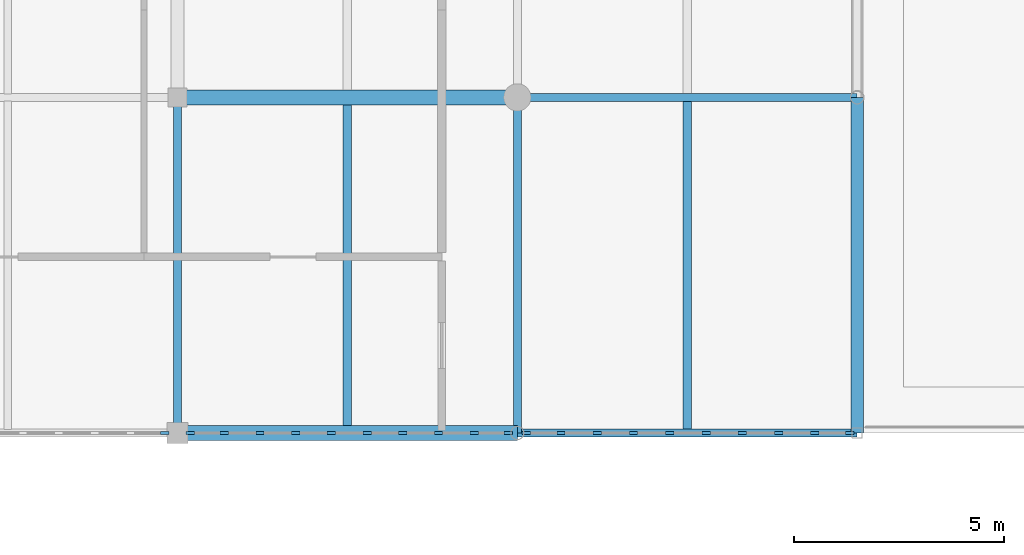
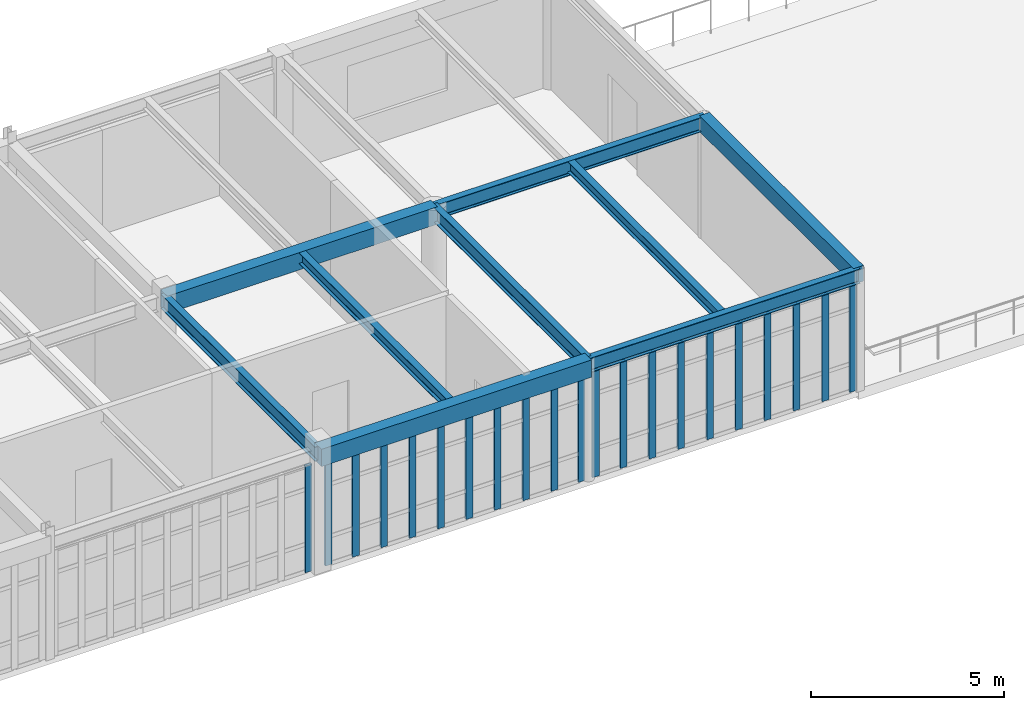
# One storey, part 13 of 36: 21 members, 9 beams, 3 elements without a shape of their own.
"""IFC4 building model written with IfcOpenShell, lengths in metres."""

from ifc_helpers import new_model, si_unit, direction, frame, origin, origin_2d, place, context, subcontext, project, spatial, rectangle, i_section, extrude, material, material_profile, profile_set, type_object, element, aggregate, save


model = new_model("IFC4")

# Units and contexts
model_context = context("Model", 3, precision=1e-05, world=origin(), true_north=direction((0.0, 1.0)))
body_context = subcontext(model_context, "Body", "Model", "MODEL_VIEW")
ifc_project = project(units=[si_unit("LENGTHUNIT", "METRE"), si_unit("AREAUNIT", "SQUARE_METRE"), si_unit("VOLUMEUNIT", "CUBIC_METRE"), si_unit("PLANEANGLEUNIT", "RADIAN"), si_unit("MASSUNIT", "GRAM", prefix="KILO")], contexts=[model_context])

# Site, building, storey
site_placement = place(None, origin())
site = spatial("IfcSite", under=ifc_project, at=site_placement, CompositionType="ELEMENT")
building_placement = place(site_placement, origin())
building = spatial("IfcBuilding", under=site, at=building_placement, Name="Tarnveldt Square Police Headquarters", CompositionType="ELEMENT")
storey_placement = place(building_placement, frame((0.0, 0.0, 24.89990234375)))
storey = spatial("IfcBuildingStorey", under=building, at=storey_placement, Name="L05", CompositionType="ELEMENT", Elevation=24.89990234375)

# Beams
ifc_material_1 = material(Name="Concrete 40 MPa", Category="concrete")
ifc_material_profile_1 = material_profile(ifc_material_1, rectangle(XDim=0.300048828125, YDim=0.5, at=origin_2d()), Name="RC-B300x500")
ifc_profile_set_1 = profile_set([ifc_material_profile_1], Name="Concrete 40 MPa")
beam_type_1 = type_object("IfcBeamType", Name="BM-RC300x500", PredefinedType="BEAM", material=ifc_profile_set_1)
beam_1_placement = place(storey_placement, frame((89.10009765625, 96.0, 3.610107421875), z_axis=(0.0, 1.0, 0.0), x_axis=(-1.0, 0.0, 0.0)))
element("IfcBeam", 1, at=beam_1_placement, inside=storey, type_object=beam_type_1, Name="L06 Grid Girder Y-1078", PredefinedType="BEAM", context=body_context, shape_type="SweptSolid", body=[
    extrude(rectangle(XDim=0.300048828125, YDim=0.5, at=origin_2d()), origin(), (0.0, 0.0, 1.0), 8.0),
])
ifc_material_profile_2 = material_profile(ifc_material_1, rectangle(XDim=0.35009765625, YDim=0.550048828125, at=origin_2d()), Name="RC-B350x550")
ifc_profile_set_2 = profile_set([ifc_material_profile_2], Name="Concrete 40 MPa")
beam_type_2 = type_object("IfcBeamType", Name="BM-RC350x550", PredefinedType="BEAM", material=ifc_profile_set_2)
for number, where, z_axis, x_axis, name in (
    (2, (72.89990234375, 96.0, 3.585205078125), (1.0, 0.0, 0.0), (0.0, 1.0, 0.0), "L06 Grid Girder X-1030"),
    (3, (72.89990234375, 104.0, 3.585205078125), (1.0, 0.0, 0.0), (0.0, 1.0, 0.0), "L06 Grid Girder X-1034"),
):
    element("IfcBeam", number, at=place(storey_placement, frame(where, z_axis=z_axis, x_axis=x_axis)), inside=storey, type_object=beam_type_2, Name=name, PredefinedType="BEAM", context=body_context, shape_type="SweptSolid", body=[
        extrude(rectangle(XDim=0.35009765625, YDim=0.550048828125, at=origin_2d()), origin(), (0.0, 0.0, 1.0), 8.10009765625),
    ])
ifc_material_2 = material(Name="Steel 350W", Category="steel")
ifc_material_profile_3 = material_profile(ifc_material_2, i_section(OverallWidth=0.202880859375, OverallDepth=0.346923828125, WebThickness=0.0078125, FlangeThickness=0.013427734375, FilletRadius=0.01611328125, at=origin_2d()), Name="W360x64")
ifc_profile_set_3 = profile_set([ifc_material_profile_3], Name="Steel 350W")
beam_type_3 = type_object("IfcBeamType", Name="BM-W360x64", PredefinedType="JOIST", material=ifc_profile_set_3)
beam_2_placement = place(storey_placement, frame((85.050048828125, 96.080078125, 3.6865234375), z_axis=(0.0, 1.0, 0.0), x_axis=(-1.0, 0.0, 0.0)))
element("IfcBeam", 4, at=beam_2_placement, inside=storey, type_object=beam_type_3, Name="L06 Secondary Floor Joist 0251", PredefinedType="JOIST", context=body_context, shape_type="SweptSolid", body=[
    extrude(i_section(OverallWidth=0.202880859375, OverallDepth=0.346923828125, WebThickness=0.0078125, FlangeThickness=0.013427734375, FilletRadius=0.01611328125, at=origin_2d()), origin(), (0.0, 0.0, 1.0), 7.83984375),
])
ifc_material_profile_4 = material_profile(ifc_material_2, i_section(OverallWidth=0.205078125, OverallDepth=0.35400390625, WebThickness=0.009521484375, FlangeThickness=0.016845703125, FilletRadius=0.01611328125, at=origin_2d()), Name="W360x79")
ifc_profile_set_4 = profile_set([ifc_material_profile_4], Name="Steel 350W")
beam_type_4 = type_object("IfcBeamType", Name="BM-W360x79", PredefinedType="JOIST", material=ifc_profile_set_4)
beam_3_placement = place(storey_placement, frame((76.949951171875, 96.080078125, 3.68310546875), z_axis=(0.0, 1.0, 0.0), x_axis=(-1.0, 0.0, 0.0)))
element("IfcBeam", 5, at=beam_3_placement, inside=storey, type_object=beam_type_4, Name="L06 Secondary Floor Joist 0250", PredefinedType="JOIST", context=body_context, shape_type="SweptSolid", body=[
    extrude(i_section(OverallWidth=0.205078125, OverallDepth=0.35400390625, WebThickness=0.009521484375, FlangeThickness=0.016845703125, FilletRadius=0.01611328125, at=origin_2d()), origin(), (0.0, 0.0, 1.0), 7.83984375),
])
ifc_material_profile_5 = material_profile(ifc_material_2, i_section(OverallWidth=0.19189453125, OverallDepth=0.462890625, WebThickness=0.010498046875, FlangeThickness=0.017578125, FilletRadius=0.01806640625, at=origin_2d()), Name="W460x89")
ifc_profile_set_5 = profile_set([ifc_material_profile_5], Name="Steel 350W")
beam_type_5 = type_object("IfcBeamType", Name="BM-W460x89", PredefinedType="BEAM", material=ifc_profile_set_5)
for number, where, z_axis, x_axis, name in (
    (6, (81.0, 96.0, 3.628662109375), (1.0, 0.0, 0.0), (0.0, 1.0, 0.0), "L06 Grid Girder X-1031"),
    (7, (81.0, 104.0, 3.628662109375), (1.0, 0.0, 0.0), (0.0, 1.0, 0.0), "L06 Grid Girder X-1035"),
):
    element("IfcBeam", number, at=place(storey_placement, frame(where, z_axis=z_axis, x_axis=x_axis)), inside=storey, type_object=beam_type_5, Name=name, PredefinedType="BEAM", context=body_context, shape_type="SweptSolid", body=[
        extrude(i_section(OverallWidth=0.19189453125, OverallDepth=0.462890625, WebThickness=0.010498046875, FlangeThickness=0.017578125, FilletRadius=0.01806640625, at=origin_2d()), origin(), (0.0, 0.0, 1.0), 8.10009765625),
    ])
for number, where, z_axis, x_axis, name in (
    (8, (72.89990234375, 96.0, 3.628662109375), (0.0, 1.0, 0.0), (-1.0, 0.0, 0.0), "L06 Grid Girder Y-1074"),
    (9, (81.0, 96.0, 3.628662109375), (0.0, 1.0, 0.0), (-1.0, 0.0, 0.0), "L06 Grid Girder Y-1076"),
):
    element("IfcBeam", number, at=place(storey_placement, frame(where, z_axis=z_axis, x_axis=x_axis)), inside=storey, type_object=beam_type_5, Name=name, PredefinedType="BEAM", context=body_context, shape_type="SweptSolid", body=[
        extrude(i_section(OverallWidth=0.19189453125, OverallDepth=0.462890625, WebThickness=0.010498046875, FlangeThickness=0.017578125, FilletRadius=0.01806640625, at=origin_2d()), origin(), (0.0, 0.0, 1.0), 8.0),
    ])

# Curtain wall, member
ifc_material_3 = material(Name="Triple-glazed low-e laminated vision glass", Category="glass")
curtain_wall_type_1 = type_object("IfcCurtainWallType", Name="CW-LB-769x339", PredefinedType="USERDEFINED", material=ifc_material_3)
curtain_wall_1_placement = place(storey_placement, origin())
curtain_wall_1 = element("IfcCurtainWall", 10, at=curtain_wall_1_placement, inside=storey, type_object=curtain_wall_type_1, Name="L05 Curtain Wall CW-L05-135", ObjectType="GLAZED CURTAIN WALL", PredefinedType="USERDEFINED")
ifc_material_4 = material(Name="Thermally broken anodised aluminium 6063-T6", Category="aluminium")
ifc_material_profile_6 = material_profile(ifc_material_4, rectangle(XDim=0.074951171875, YDim=0.199951171875, at=origin_2d()), Name="CW-M75x200")
ifc_profile_set_6 = profile_set([ifc_material_profile_6], Name="Thermally broken anodised aluminium 6063-T6")
member_type = type_object("IfcMemberType", Name="CWM-75x200", PredefinedType="MULLION", material=ifc_profile_set_6)
member_1_placement = place(storey_placement, frame((72.597412109375, 96.0, 0.0), z_axis=(0.0, 0.0, 1.0), x_axis=(0.0, 1.0, 0.0)))
member_1 = element("IfcMember", 11, at=member_1_placement, type_object=member_type, Name="CW-LB82 mullion 10", PredefinedType="MULLION", context=body_context, shape_type="SweptSolid", body=[
    extrude(rectangle(XDim=0.074951171875, YDim=0.199951171875, at=origin_2d()), origin(), (0.0, 0.0, 1.0), 3.38916015625),
])
aggregate(curtain_wall_1, [member_1])

# Curtain wall, members
curtain_wall_type_2 = type_object("IfcCurtainWallType", Name="CW-LB-766x330", PredefinedType="USERDEFINED", material=ifc_material_3)
curtain_wall_2_placement = place(storey_placement, origin())
curtain_wall_2 = element("IfcCurtainWall", 12, at=curtain_wall_2_placement, inside=storey, type_object=curtain_wall_type_2, Name="L05 Curtain Wall CW-L05-136", ObjectType="GLAZED CURTAIN WALL", PredefinedType="USERDEFINED")
member_2_placement = place(storey_placement, frame((73.202392578125, 96.0, 0.0), z_axis=(0.0, 0.0, 1.0), x_axis=(0.0, 1.0, 0.0)))
member_2 = element("IfcMember", 13, at=member_2_placement, type_object=member_type, Name="CW-LB83 mullion 1", PredefinedType="MULLION", context=body_context, shape_type="SweptSolid", body=[
    extrude(rectangle(XDim=0.074951171875, YDim=0.199951171875, at=origin_2d()), origin(), (0.0, 0.0, 1.0), 3.302001953125),
])
member_3_placement = place(storey_placement, frame((74.015869140625, 96.0, 0.0), z_axis=(0.0, 0.0, 1.0), x_axis=(0.0, 1.0, 0.0)))
member_3 = element("IfcMember", 14, at=member_3_placement, type_object=member_type, Name="CW-LB83 mullion 2", PredefinedType="MULLION", context=body_context, shape_type="SweptSolid", body=[
    extrude(rectangle(XDim=0.074951171875, YDim=0.199951171875, at=origin_2d()), origin(), (0.0, 0.0, 1.0), 3.302001953125),
])
member_4_placement = place(storey_placement, frame((74.86669921875, 96.0, 0.0), z_axis=(0.0, 0.0, 1.0), x_axis=(0.0, 1.0, 0.0)))
member_4 = element("IfcMember", 15, at=member_4_placement, type_object=member_type, Name="CW-LB83 mullion 3", PredefinedType="MULLION", context=body_context, shape_type="SweptSolid", body=[
    extrude(rectangle(XDim=0.074951171875, YDim=0.199951171875, at=origin_2d()), origin(), (0.0, 0.0, 1.0), 3.302001953125),
])
member_5_placement = place(storey_placement, frame((75.7177734375, 96.0, 0.0), z_axis=(0.0, 0.0, 1.0), x_axis=(0.0, 1.0, 0.0)))
member_5 = element("IfcMember", 16, at=member_5_placement, type_object=member_type, Name="CW-LB83 mullion 4", PredefinedType="MULLION", context=body_context, shape_type="SweptSolid", body=[
    extrude(rectangle(XDim=0.074951171875, YDim=0.199951171875, at=origin_2d()), origin(), (0.0, 0.0, 1.0), 3.302001953125),
])
member_6_placement = place(storey_placement, frame((76.568603515625, 96.0, 0.0), z_axis=(0.0, 0.0, 1.0), x_axis=(0.0, 1.0, 0.0)))
member_6 = element("IfcMember", 17, at=member_6_placement, type_object=member_type, Name="CW-LB83 mullion 5", PredefinedType="MULLION", context=body_context, shape_type="SweptSolid", body=[
    extrude(rectangle(XDim=0.074951171875, YDim=0.199951171875, at=origin_2d()), origin(), (0.0, 0.0, 1.0), 3.302001953125),
])
member_7_placement = place(storey_placement, frame((77.41943359375, 96.0, 0.0), z_axis=(0.0, 0.0, 1.0), x_axis=(0.0, 1.0, 0.0)))
member_7 = element("IfcMember", 18, at=member_7_placement, type_object=member_type, Name="CW-LB83 mullion 6", PredefinedType="MULLION", context=body_context, shape_type="SweptSolid", body=[
    extrude(rectangle(XDim=0.074951171875, YDim=0.199951171875, at=origin_2d()), origin(), (0.0, 0.0, 1.0), 3.302001953125),
])
member_8_placement = place(storey_placement, frame((78.270263671875, 96.0, 0.0), z_axis=(0.0, 0.0, 1.0), x_axis=(0.0, 1.0, 0.0)))
member_8 = element("IfcMember", 19, at=member_8_placement, type_object=member_type, Name="CW-LB83 mullion 7", PredefinedType="MULLION", context=body_context, shape_type="SweptSolid", body=[
    extrude(rectangle(XDim=0.074951171875, YDim=0.199951171875, at=origin_2d()), origin(), (0.0, 0.0, 1.0), 3.302001953125),
])
member_9_placement = place(storey_placement, frame((79.121337890625, 96.0, 0.0), z_axis=(0.0, 0.0, 1.0), x_axis=(0.0, 1.0, 0.0)))
member_9 = element("IfcMember", 20, at=member_9_placement, type_object=member_type, Name="CW-LB83 mullion 8", PredefinedType="MULLION", context=body_context, shape_type="SweptSolid", body=[
    extrude(rectangle(XDim=0.074951171875, YDim=0.199951171875, at=origin_2d()), origin(), (0.0, 0.0, 1.0), 3.302001953125),
])
member_10_placement = place(storey_placement, frame((79.97216796875, 96.0, 0.0), z_axis=(0.0, 0.0, 1.0), x_axis=(0.0, 1.0, 0.0)))
member_10 = element("IfcMember", 21, at=member_10_placement, type_object=member_type, Name="CW-LB83 mullion 9", PredefinedType="MULLION", context=body_context, shape_type="SweptSolid", body=[
    extrude(rectangle(XDim=0.074951171875, YDim=0.199951171875, at=origin_2d()), origin(), (0.0, 0.0, 1.0), 3.302001953125),
])
member_11_placement = place(storey_placement, frame((80.785400390625, 96.0, 0.0), z_axis=(0.0, 0.0, 1.0), x_axis=(0.0, 1.0, 0.0)))
member_11 = element("IfcMember", 22, at=member_11_placement, type_object=member_type, Name="CW-LB83 mullion 10", PredefinedType="MULLION", context=body_context, shape_type="SweptSolid", body=[
    extrude(rectangle(XDim=0.074951171875, YDim=0.199951171875, at=origin_2d()), origin(), (0.0, 0.0, 1.0), 3.302001953125),
])
aggregate(curtain_wall_2, [member_2, member_3, member_4, member_5, member_6, member_7, member_8, member_9, member_10, member_11])

curtain_wall_type_3 = type_object("IfcCurtainWallType", Name="CW-LB-778x339", PredefinedType="USERDEFINED", material=ifc_material_3)
curtain_wall_3_placement = place(storey_placement, origin())
curtain_wall_3 = element("IfcCurtainWall", 23, at=curtain_wall_3_placement, inside=storey, type_object=curtain_wall_type_3, Name="L05 Curtain Wall CW-L05-137", ObjectType="GLAZED CURTAIN WALL", PredefinedType="USERDEFINED")
member_12_placement = place(storey_placement, frame((81.214599609375, 96.0, 0.0), z_axis=(0.0, 0.0, 1.0), x_axis=(0.0, 1.0, 0.0)))
member_12 = element("IfcMember", 24, at=member_12_placement, type_object=member_type, Name="CW-LB84 mullion 1", PredefinedType="MULLION", context=body_context, shape_type="SweptSolid", body=[
    extrude(rectangle(XDim=0.074951171875, YDim=0.199951171875, at=origin_2d()), origin(), (0.0, 0.0, 1.0), 3.38916015625),
])
member_13_placement = place(storey_placement, frame((82.04150390625, 96.0, 0.0), z_axis=(0.0, 0.0, 1.0), x_axis=(0.0, 1.0, 0.0)))
member_13 = element("IfcMember", 25, at=member_13_placement, type_object=member_type, Name="CW-LB84 mullion 2", PredefinedType="MULLION", context=body_context, shape_type="SweptSolid", body=[
    extrude(rectangle(XDim=0.074951171875, YDim=0.199951171875, at=origin_2d()), origin(), (0.0, 0.0, 1.0), 3.38916015625),
])
member_14_placement = place(storey_placement, frame((82.906005859375, 96.0, 0.0), z_axis=(0.0, 0.0, 1.0), x_axis=(0.0, 1.0, 0.0)))
member_14 = element("IfcMember", 26, at=member_14_placement, type_object=member_type, Name="CW-LB84 mullion 3", PredefinedType="MULLION", context=body_context, shape_type="SweptSolid", body=[
    extrude(rectangle(XDim=0.074951171875, YDim=0.199951171875, at=origin_2d()), origin(), (0.0, 0.0, 1.0), 3.38916015625),
])
member_15_placement = place(storey_placement, frame((83.770751953125, 96.0, 0.0), z_axis=(0.0, 0.0, 1.0), x_axis=(0.0, 1.0, 0.0)))
member_15 = element("IfcMember", 27, at=member_15_placement, type_object=member_type, Name="CW-LB84 mullion 4", PredefinedType="MULLION", context=body_context, shape_type="SweptSolid", body=[
    extrude(rectangle(XDim=0.074951171875, YDim=0.199951171875, at=origin_2d()), origin(), (0.0, 0.0, 1.0), 3.38916015625),
])
member_16_placement = place(storey_placement, frame((84.63525390625, 96.0, 0.0), z_axis=(0.0, 0.0, 1.0), x_axis=(0.0, 1.0, 0.0)))
member_16 = element("IfcMember", 28, at=member_16_placement, type_object=member_type, Name="CW-LB84 mullion 5", PredefinedType="MULLION", context=body_context, shape_type="SweptSolid", body=[
    extrude(rectangle(XDim=0.074951171875, YDim=0.199951171875, at=origin_2d()), origin(), (0.0, 0.0, 1.0), 3.38916015625),
])
member_17_placement = place(storey_placement, frame((85.499755859375, 96.0, 0.0), z_axis=(0.0, 0.0, 1.0), x_axis=(0.0, 1.0, 0.0)))
member_17 = element("IfcMember", 29, at=member_17_placement, type_object=member_type, Name="CW-LB84 mullion 6", PredefinedType="MULLION", context=body_context, shape_type="SweptSolid", body=[
    extrude(rectangle(XDim=0.074951171875, YDim=0.199951171875, at=origin_2d()), origin(), (0.0, 0.0, 1.0), 3.38916015625),
])
member_18_placement = place(storey_placement, frame((86.3642578125, 96.0, 0.0), z_axis=(0.0, 0.0, 1.0), x_axis=(0.0, 1.0, 0.0)))
member_18 = element("IfcMember", 30, at=member_18_placement, type_object=member_type, Name="CW-LB84 mullion 7", PredefinedType="MULLION", context=body_context, shape_type="SweptSolid", body=[
    extrude(rectangle(XDim=0.074951171875, YDim=0.199951171875, at=origin_2d()), origin(), (0.0, 0.0, 1.0), 3.38916015625),
])
member_19_placement = place(storey_placement, frame((87.22900390625, 96.0, 0.0), z_axis=(0.0, 0.0, 1.0), x_axis=(0.0, 1.0, 0.0)))
member_19 = element("IfcMember", 31, at=member_19_placement, type_object=member_type, Name="CW-LB84 mullion 8", PredefinedType="MULLION", context=body_context, shape_type="SweptSolid", body=[
    extrude(rectangle(XDim=0.074951171875, YDim=0.199951171875, at=origin_2d()), origin(), (0.0, 0.0, 1.0), 3.38916015625),
])
member_20_placement = place(storey_placement, frame((88.093505859375, 96.0, 0.0), z_axis=(0.0, 0.0, 1.0), x_axis=(0.0, 1.0, 0.0)))
member_20 = element("IfcMember", 32, at=member_20_placement, type_object=member_type, Name="CW-LB84 mullion 9", PredefinedType="MULLION", context=body_context, shape_type="SweptSolid", body=[
    extrude(rectangle(XDim=0.074951171875, YDim=0.199951171875, at=origin_2d()), origin(), (0.0, 0.0, 1.0), 3.38916015625),
])
member_21_placement = place(storey_placement, frame((88.92041015625, 96.0, 0.0), z_axis=(0.0, 0.0, 1.0), x_axis=(0.0, 1.0, 0.0)))
member_21 = element("IfcMember", 33, at=member_21_placement, type_object=member_type, Name="CW-LB84 mullion 10", PredefinedType="MULLION", context=body_context, shape_type="SweptSolid", body=[
    extrude(rectangle(XDim=0.074951171875, YDim=0.199951171875, at=origin_2d()), origin(), (0.0, 0.0, 1.0), 3.38916015625),
])
aggregate(curtain_wall_3, [member_12, member_13, member_14, member_15, member_16, member_17, member_18, member_19, member_20, member_21])

save(model, "model.ifc")
